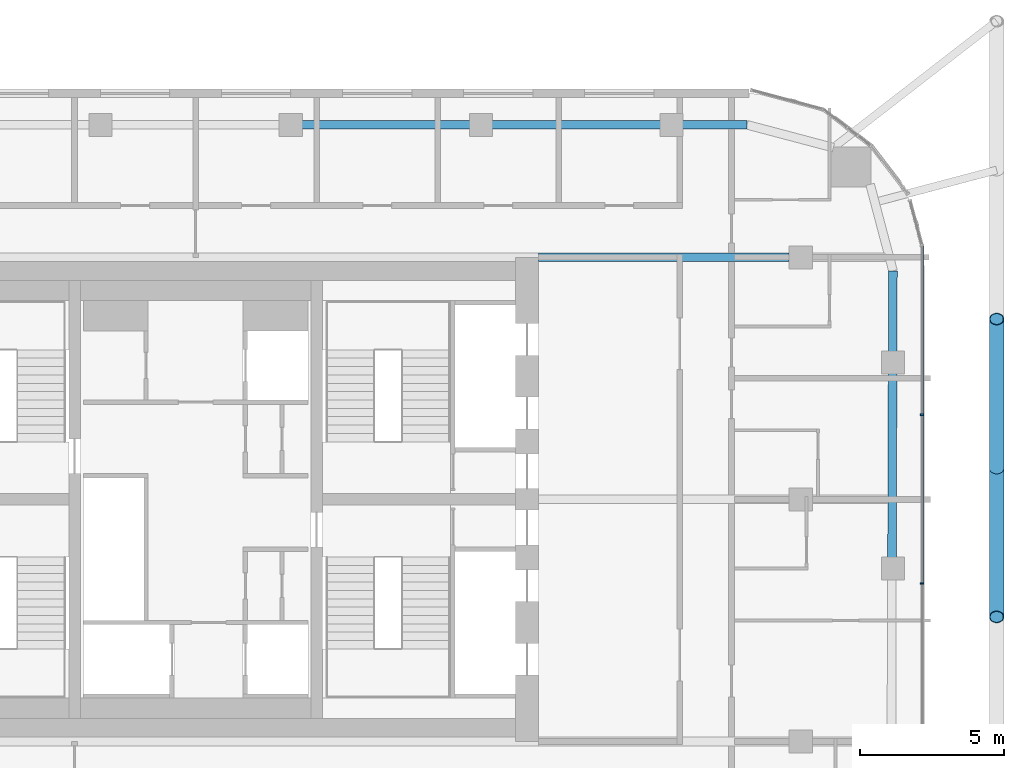
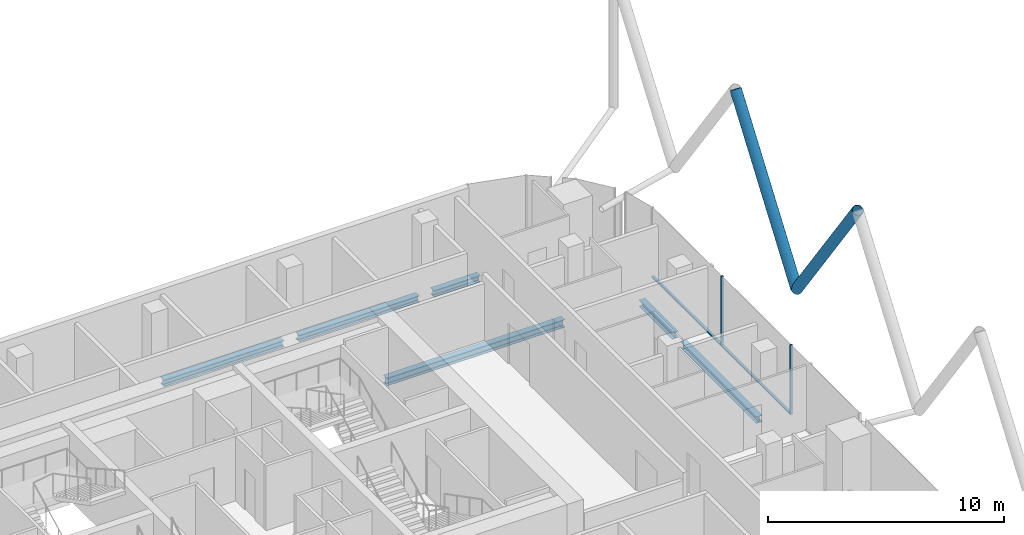
# One storey, part 10 of 31: 6 beams, 6 members, 1 element without a shape of its own.
"""IFC4 building model written with IfcOpenShell, lengths in metres."""

from ifc_helpers import new_model, si_unit, direction, frame, origin, origin_2d, place, context, subcontext, project, spatial, rectangle, hollow_circle, i_section, extrude, material, layer, layer_set, material_profile, profile_set, type_object, element, aggregate, save


model = new_model("IFC4")

# Units and contexts
model_context = context("Model", 3, precision=1e-05, world=origin(), true_north=direction((0.0, 1.0)))
body_context = subcontext(model_context, "Body", "Model", "MODEL_VIEW")
ifc_project = project(units=[si_unit("LENGTHUNIT", "METRE"), si_unit("AREAUNIT", "SQUARE_METRE"), si_unit("VOLUMEUNIT", "CUBIC_METRE"), si_unit("PLANEANGLEUNIT", "RADIAN"), si_unit("MASSUNIT", "GRAM", prefix="KILO")], contexts=[model_context])

# Site, building, storey
site_placement = place(None, origin())
site = spatial("IfcSite", under=ifc_project, at=site_placement, CompositionType="ELEMENT")
building_placement = place(site_placement, origin())
building = spatial("IfcBuilding", under=site, at=building_placement, Name="Marenta Gate Hotel Tower", CompositionType="ELEMENT")
storey_placement = place(building_placement, frame((0.0, 0.0, 234.5)))
storey = spatial("IfcBuildingStorey", under=building, at=storey_placement, Name="L55", CompositionType="ELEMENT", Elevation=234.5)

# Members
ifc_material_1 = material(Name="Steel S355J2W", Category="steel")
ifc_material_profile_1 = material_profile(ifc_material_1, hollow_circle(Radius=0.25390625, WallThickness=0.02490234375, at=origin_2d()), Name="CHS 508x25")
ifc_profile_set_1 = profile_set([ifc_material_profile_1], Name="Steel S355J2W")
member_type_1 = type_object("IfcMemberType", Name="Diagrid diagonal Z3 CHS 508x25", PredefinedType="BRACE", material=ifc_profile_set_1)
member_1_placement = place(storey_placement, frame((27.800048828125, 9.489990234375, 3.139892578125), z_axis=(0.0, 0.583247791947, 0.812294289767), x_axis=(-1.0, 0.0, 0.0)))
element("IfcMember", 1, at=member_1_placement, inside=storey, type_object=member_type_1, Name="L55-DG-3", PredefinedType="BRACE", context=body_context, shape_type="SweptSolid", body=[
    extrude(hollow_circle(Radius=0.25390625, WallThickness=0.02490234375, at=origin_2d()), origin(), (0.0, 0.0, 1.0), 8.864013671875),
])
member_2_placement = place(storey_placement, frame((27.800048828125, 9.489990234375, 3.139892578125), z_axis=(0.0, -0.583265964901, 0.81228124082), x_axis=(1.0, 0.0, 0.0)))
element("IfcMember", 2, at=member_2_placement, inside=storey, type_object=member_type_1, Name="L55-DG-4", PredefinedType="BRACE", context=body_context, shape_type="SweptSolid", body=[
    extrude(hollow_circle(Radius=0.25390625, WallThickness=0.02490234375, at=origin_2d()), origin(), (0.0, 0.0, 1.0), 8.8642578125),
])

# Beams
ifc_material_2 = material(Name="Steel S355", Category="steel")
ifc_material_profile_2 = material_profile(ifc_material_2, i_section(OverallWidth=0.300048828125, OverallDepth=0.340087890625, WebThickness=0.011962890625, FlangeThickness=0.021484375, FilletRadius=0.027099609375, at=origin_2d()), Name="HEB 340")
ifc_profile_set_2 = profile_set([ifc_material_profile_2], Name="Steel S355")
beam_type_1 = type_object("IfcBeamType", Name="Edge beam HEB 340", PredefinedType="SPANDREL", material=ifc_profile_set_2)
for number, where, z_axis, x_axis, name in (
    (3, (3.661376953125, 21.39990234375, -0.429931640625), (1.0, 0.0, 0.0), (0.0, 1.0, 0.0), "L55-EB-17"),
    (4, (10.26416015625, 21.39990234375, -0.429931640625), (1.0, 0.0, 0.0), (0.0, 1.0, 0.0), "L55-EB-18"),
):
    element("IfcBeam", number, at=place(storey_placement, frame(where, z_axis=z_axis, x_axis=x_axis)), inside=storey, type_object=beam_type_1, Name=name, PredefinedType="SPANDREL", context=body_context, shape_type="SweptSolid", body=[
        extrude(i_section(OverallWidth=0.300048828125, OverallDepth=0.340087890625, WebThickness=0.011962890625, FlangeThickness=0.021484375, FilletRadius=0.027099609375, at=origin_2d()), origin(), (0.0, 0.0, 1.0), 5.8828125),
    ])
beam_1_placement = place(storey_placement, frame((16.866943359375, 21.39990234375, -0.429931640625), z_axis=(1.0, 0.0, 0.0), x_axis=(0.0, 1.0, 0.0)))
element("IfcBeam", 5, at=beam_1_placement, inside=storey, type_object=beam_type_1, Name="L55-EB-19", PredefinedType="SPANDREL", context=body_context, shape_type="SweptSolid", body=[
    extrude(i_section(OverallWidth=0.300048828125, OverallDepth=0.340087890625, WebThickness=0.011962890625, FlangeThickness=0.021484375, FilletRadius=0.027099609375, at=origin_2d()), origin(), (0.0, 0.0, 1.0), 2.267578125),
])
beam_2_placement = place(storey_placement, frame((24.199951171875, 16.33447265625, -0.429931640625), z_axis=(-0.003292020626, -0.999994581285, 0.0), x_axis=(0.999994581285, -0.003292020626, 0.0)))
element("IfcBeam", 6, at=beam_2_placement, inside=storey, type_object=beam_type_1, Name="L55-EB-22", PredefinedType="SPANDREL", context=body_context, shape_type="SweptSolid", body=[
    extrude(i_section(OverallWidth=0.300048828125, OverallDepth=0.340087890625, WebThickness=0.011962890625, FlangeThickness=0.021484375, FilletRadius=0.027099609375, at=origin_2d()), origin(), (0.0, 0.0, 1.0), 2.818115234375),
])
beam_3_placement = place(storey_placement, frame((24.188232421875, 12.79638671875, -0.429931640625), z_axis=(-0.00333963982, -0.999994423387, 0.0), x_axis=(0.999994423387, -0.00333963982, 0.0)))
element("IfcBeam", 7, at=beam_3_placement, inside=storey, type_object=beam_type_1, Name="L55-EB-23", PredefinedType="SPANDREL", context=body_context, shape_type="SweptSolid", body=[
    extrude(i_section(OverallWidth=0.300048828125, OverallDepth=0.340087890625, WebThickness=0.011962890625, FlangeThickness=0.021484375, FilletRadius=0.027099609375, at=origin_2d()), origin(), (0.0, 0.0, 1.0), 6.43310546875),
])
ifc_material_3 = material(Name="Steel S355", Category="steel")
ifc_material_profile_3 = material_profile(ifc_material_3, i_section(OverallWidth=0.300048828125, OverallDepth=0.39990234375, WebThickness=0.013427734375, FlangeThickness=0.02392578125, FilletRadius=0.027099609375, at=origin_2d()), Name="HEB 400")
ifc_profile_set_3 = profile_set([ifc_material_profile_3], Name="Steel S355")
beam_type_2 = type_object("IfcBeamType", Name="Girder HEB 400", PredefinedType="BEAM", material=ifc_profile_set_3)
beam_4_placement = place(storey_placement, frame((11.89990234375, 16.800048828125, -0.4599609375), z_axis=(1.0, 0.0, 0.0), x_axis=(0.0, 1.0, 0.0)))
element("IfcBeam", 8, at=beam_4_placement, inside=storey, type_object=beam_type_2, Name="L55-GD-32", PredefinedType="BEAM", context=body_context, shape_type="SweptSolid", body=[
    extrude(i_section(OverallWidth=0.300048828125, OverallDepth=0.39990234375, WebThickness=0.013427734375, FlangeThickness=0.02392578125, FilletRadius=0.027099609375, at=origin_2d()), origin(), (0.0, 0.0, 1.0), 8.7001953125),
])

# Curtain wall, members
ifc_material_4 = material(Name="Tinted insulated glass in bronze anodised frame", Category="glass")
ifc_layer = layer(ifc_material_4, 0.1201171875)
ifc_layer_set = layer_set([ifc_layer], Name="Tinted insulated glass in bronze anodised frame")
curtain_wall_type = type_object("IfcCurtainWallType", Name="Tower unitised curtain wall CW1", PredefinedType="NOTDEFINED", material=ifc_layer_set)
curtain_wall_placement = place(storey_placement, origin())
curtain_wall = element("IfcCurtainWall", 9, at=curtain_wall_placement, inside=storey, type_object=curtain_wall_type, Name="CW1 run G34", PredefinedType="NOTDEFINED")
ifc_material_5 = material(Name="Bronze anodised aluminium", Category="aluminium")
ifc_material_profile_4 = material_profile(ifc_material_5, rectangle(XDim=0.1201171875, YDim=0.06005859375, at=origin_2d()), Name="Mullion CW1 60x120 bronze anodised aluminium")
ifc_profile_set_4 = profile_set([ifc_material_profile_4], Name="Bronze anodised aluminium")
member_type_2 = type_object("IfcMemberType", Name="Mullion CW1 60x120 bronze anodised aluminium", PredefinedType="MULLION", material=ifc_profile_set_4)
member_3_placement = place(storey_placement, frame((25.214111328125, 5.4853515625, 0.0), z_axis=(0.0, 0.0, 1.0), x_axis=(-1.0, 0.0, 0.0)))
member_3 = element("IfcMember", 10, at=member_3_placement, type_object=member_type_2, Name="CW1 mullion 2", PredefinedType="MULLION", context=body_context, shape_type="SweptSolid", body=[
    extrude(rectangle(XDim=0.1201171875, YDim=0.06005859375, at=origin_2d()), origin(), (0.0, 0.0, 1.0), 3.60009765625),
])
member_4_placement = place(storey_placement, frame((25.214111328125, 11.338623046875, 0.0), z_axis=(0.0, 0.0, 1.0), x_axis=(-1.0, 0.0, 0.0)))
member_4 = element("IfcMember", 11, at=member_4_placement, type_object=member_type_2, Name="CW1 mullion 3", PredefinedType="MULLION", context=body_context, shape_type="SweptSolid", body=[
    extrude(rectangle(XDim=0.1201171875, YDim=0.06005859375, at=origin_2d()), origin(), (0.0, 0.0, 1.0), 3.60009765625),
])
ifc_material_6 = material(Name="Bronze anodised aluminium", Category="aluminium")
ifc_material_profile_5 = material_profile(ifc_material_6, rectangle(XDim=0.1201171875, YDim=0.06005859375, at=origin_2d()), Name="Transom CW1 60x120 bronze anodised aluminium")
ifc_profile_set_5 = profile_set([ifc_material_profile_5], Name="Bronze anodised aluminium")
member_type_3 = type_object("IfcMemberType", Name="Transom CW1 60x120 bronze anodised aluminium", PredefinedType="USERDEFINED", material=ifc_profile_set_5)
member_5_placement = place(storey_placement, frame((25.214111328125, 5.515380859375, 0.030029296875), z_axis=(0.0, 1.0, 0.0), x_axis=(-1.0, 0.0, 0.0)))
member_5 = element("IfcMember", 12, at=member_5_placement, type_object=member_type_3, Name="CW1 transom 2.1", ObjectType="TRANSOM", PredefinedType="USERDEFINED", context=body_context, shape_type="SweptSolid", body=[
    extrude(rectangle(XDim=0.1201171875, YDim=0.06005859375, at=origin_2d()), origin(), (0.0, 0.0, 1.0), 5.793212890625),
])
member_6_placement = place(storey_placement, frame((25.214111328125, 11.36865234375, 0.030029296875), z_axis=(0.0, 1.0, 0.0), x_axis=(-1.0, 0.0, 0.0)))
member_6 = element("IfcMember", 13, at=member_6_placement, type_object=member_type_3, Name="CW1 transom 3.1", ObjectType="TRANSOM", PredefinedType="USERDEFINED", context=body_context, shape_type="SweptSolid", body=[
    extrude(rectangle(XDim=0.1201171875, YDim=0.06005859375, at=origin_2d()), origin(), (0.0, 0.0, 1.0), 5.8232421875),
])
aggregate(curtain_wall, [member_3, member_4, member_5, member_6])

save(model, "model.ifc")
